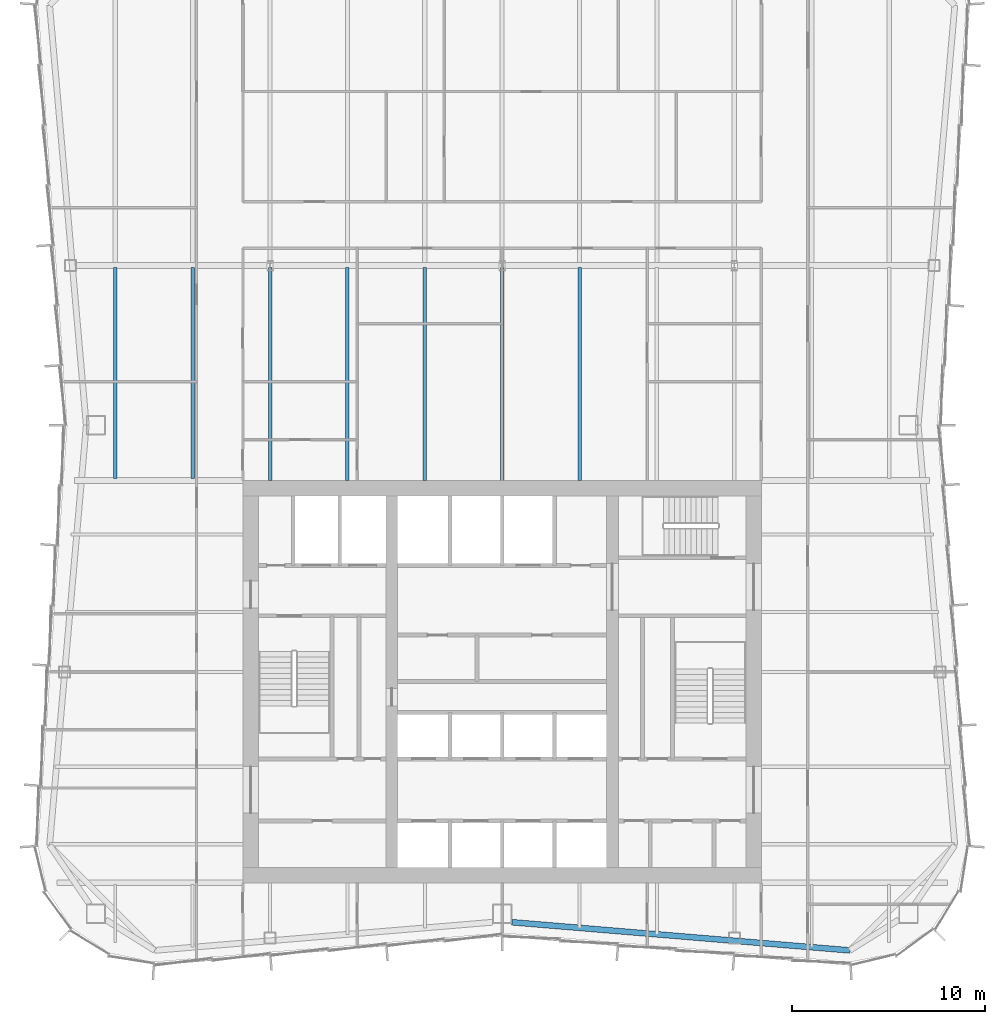
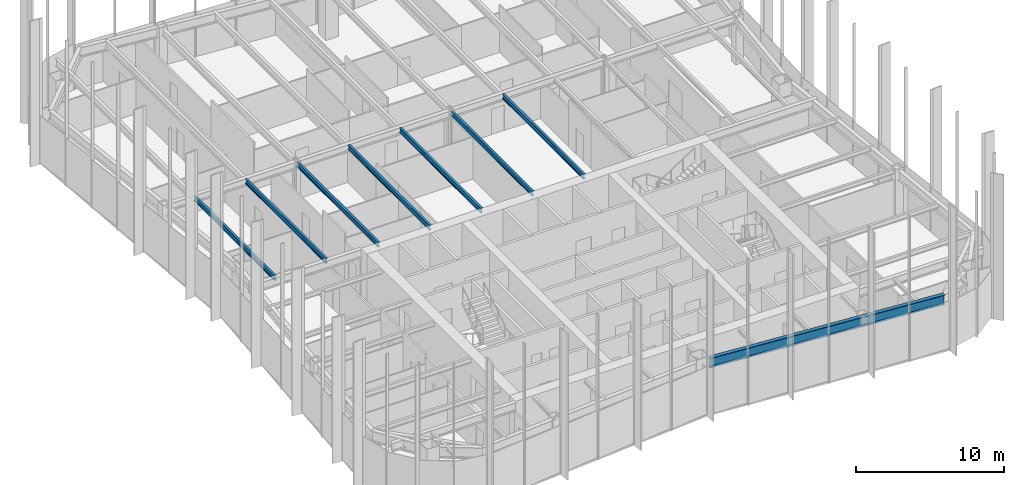
# One storey, part 4 of 15: 8 beams.
"""IFC4 building model written with IfcOpenShell, lengths in metres."""

import ifcopenshell
import ifcopenshell.guid

model = None  # the IFC model being written
_history = None  # IfcOwnerHistory: only IFC2X3 demands one
_inside = {}  # id of a spatial element -> (the spatial element, [elements in it])
_under = {}  # id of a project, library or spatial element -> (it, [spatial elements below it])
_declared = {}  # id of a project -> (the project, [libraries it declares])
_typed = {}  # id of a type object -> (the type object, [elements of that type])
_made_of = {}  # id of a material, layer set ... -> (it, [elements and type objects made of it])


def new_model(schema):
    """Start an empty IFC model of exactly this schema.

    Asked for "IFC4X3", IfcOpenShell would pick the latest addendum, in which some entities
    have other attributes; the version numbers below select the first issue.
    IFC2X3 requires an IfcOwnerHistory on every rooted entity: one is made here for all.
    """
    global model, _history
    if schema == "IFC4X3":
        model = ifcopenshell.file(schema_version=(4, 3, 0, 0))
    else:
        model = ifcopenshell.file(schema=schema)
    _inside.clear()
    _under.clear()
    _declared.clear()
    _typed.clear()
    _made_of.clear()
    _history = None
    if model.schema == "IFC2X3":
        org = make("IfcOrganization", Name="unknown")
        user = make(
            "IfcPersonAndOrganization",
            ThePerson=make("IfcPerson", FamilyName="unknown"),
            TheOrganization=org,
        )
        app = make(
            "IfcApplication",
            ApplicationDeveloper=org,
            Version="unknown",
            ApplicationFullName="unknown",
            ApplicationIdentifier="unknown",
        )
        _history = make(
            "IfcOwnerHistory",
            OwningUser=user,
            OwningApplication=app,
            ChangeAction="ADDED",
            CreationDate=0,
        )
    return model


def make(cls, **values):
    """One entity of the class cls with the attributes given. An attribute that is None is left unset."""
    return model.create_entity(
        cls, **{name: value for name, value in values.items() if value is not None}
    )


def rooted(cls, **values):
    """An entity with a GlobalId (a new one), such as an element, a storey or a relation."""
    return make(cls, GlobalId=ifcopenshell.guid.new(), OwnerHistory=_history, **values)


def si_unit(unit_type, name, prefix=None):
    """IfcSIUnit, for example si_unit("LENGTHUNIT", "METRE", prefix="MILLI")."""
    return make("IfcSIUnit", UnitType=unit_type, Prefix=prefix, Name=name)


def assignment(units):
    """IfcUnitAssignment: the units of a project."""
    return None if units is None else make("IfcUnitAssignment", Units=units)


def point(xyz):
    """IfcCartesianPoint."""
    return None if xyz is None else make("IfcCartesianPoint", Coordinates=xyz)


def direction(xyz):
    """IfcDirection."""
    return None if xyz is None else make("IfcDirection", DirectionRatios=xyz)


def frame(location, z_axis=None, x_axis=None):
    """IfcAxis2Placement3D, a coordinate frame: its origin and axes. An axis left out is left unset."""
    return make(
        "IfcAxis2Placement3D",
        Location=point(location),
        Axis=direction(z_axis),
        RefDirection=direction(x_axis),
    )


def frame_2d(location, x_axis=None):
    """IfcAxis2Placement2D, a coordinate frame in the plane: its origin and x axis."""
    return make(
        "IfcAxis2Placement2D", Location=point(location), RefDirection=direction(x_axis)
    )


def origin():
    """The frame at (0, 0, 0) with its axes left unset."""
    return frame((0.0, 0.0, 0.0))


def origin_2d():
    """The frame at (0, 0) in the plane with its x axis left unset."""
    return frame_2d((0.0, 0.0))


def place(relative_to, where):
    """IfcLocalPlacement: puts the frame where relative to a parent placement (None: the world)."""
    return make(
        "IfcLocalPlacement", PlacementRelTo=relative_to, RelativePlacement=where
    )


def context(
    kind, dimensions, precision=None, world=None, true_north=None, identifier=None
):
    """IfcGeometricRepresentationContext, for example the 3D "Model" context."""
    return make(
        "IfcGeometricRepresentationContext",
        ContextIdentifier=identifier,
        ContextType=kind,
        CoordinateSpaceDimension=dimensions,
        Precision=precision,
        WorldCoordinateSystem=world,
        TrueNorth=true_north,
    )


def subcontext(parent, identifier, kind, view, scale=None):
    """IfcGeometricRepresentationSubContext, for example "Body" below "Model"."""
    return make(
        "IfcGeometricRepresentationSubContext",
        ContextIdentifier=identifier,
        ContextType=kind,
        ParentContext=parent,
        TargetScale=scale,
        TargetView=view,
    )


def project(units=None, contexts=None):
    """IfcProject with its units and contexts."""
    return rooted(
        "IfcProject",
        Name="project",
        RepresentationContexts=contexts,
        UnitsInContext=assignment(units),
    )


def spatial(cls, under=None, at=None, **own):
    """A site, building, storey or space (cls), placed at a placement, below another one or the project."""
    s = rooted(cls, ObjectPlacement=at, **own)
    if under is not None:
        _under.setdefault(under.id(), (under, []))[1].append(s)
    return s


def profile(cls, at=None, kind="AREA", **sizes):
    """A parametric profile (cls). Its sizes go by their IFC names, for example OverallWidth=200.0."""
    return make(cls, ProfileType=kind, Position=at, **sizes)


def i_section(**sizes):
    """IfcIShapeProfileDef."""
    return profile("IfcIShapeProfileDef", **sizes)


def extrude(swept, where, along, depth):
    """IfcExtrudedAreaSolid: the profile swept, set in the frame where, extruded along a direction by depth."""
    return make(
        "IfcExtrudedAreaSolid",
        SweptArea=swept,
        Position=where,
        ExtrudedDirection=direction(along),
        Depth=depth,
    )


def shape(context_of_items, identifier, shape_type, items):
    """IfcShapeRepresentation: the items that make up one representation, for example the "Body"."""
    return make(
        "IfcShapeRepresentation",
        ContextOfItems=context_of_items,
        RepresentationIdentifier=identifier,
        RepresentationType=shape_type,
        Items=items,
    )


def material(Name=None, Category=None):
    """IfcMaterial."""
    return make("IfcMaterial", Name=Name, Category=Category)


def material_profile(
    of_material, cross_section, Name=None, Category=None, Priority=None
):
    """IfcMaterialProfile: a cross section and its material."""
    return make(
        "IfcMaterialProfile",
        Name=Name,
        Material=of_material,
        Profile=cross_section,
        Priority=Priority,
        Category=Category,
    )


def profile_set(profiles, Name=None, composite=None):
    """IfcMaterialProfileSet."""
    return make(
        "IfcMaterialProfileSet",
        Name=Name,
        MaterialProfiles=profiles,
        CompositeProfile=composite,
    )


def made_of(thing, what):
    """Note that an element or type object is made of a material, layer set ...; save() writes the relation."""
    if what is not None:
        _made_of.setdefault(what.id(), (what, []))[1].append(thing)
    return thing


def type_object(cls, material=None, **own):
    """A type object (cls), such as IfcWallType, which elements share."""
    return made_of(rooted(cls, **own), material)


def element(
    cls,
    number,
    at=None,
    inside=None,
    cuts=None,
    type_object=None,
    material=None,
    context=None,
    identifier="Body",
    shape_type=None,
    held_by="IfcProductDefinitionShape",
    body=None,
    shapes=None,
    **own,
):
    """One element of the class cls, such as IfcWall. Its Tag is "e" and its number.

    at: its placement. inside: the storey or other place that contains it. cuts: it is an
    opening in that element (IfcRelVoidsElement). A single representation is given by context,
    identifier, shape_type and body (its items); several are given by shapes. held_by: the class
    of the entity that holds the representations. save() writes the other relations.
    """
    e = rooted(cls, Tag="e%d" % number, ObjectPlacement=at, **own)
    if body is not None:
        shapes = [shape(context, identifier, shape_type, body)]
    if shapes is not None:
        e.Representation = make(held_by, Representations=shapes)
    if inside is not None:
        _inside.setdefault(inside.id(), (inside, []))[1].append(e)
    if cuts is not None:
        rooted(
            "IfcRelVoidsElement", RelatingBuildingElement=cuts, RelatedOpeningElement=e
        )
    if type_object is not None:
        _typed.setdefault(type_object.id(), (type_object, []))[1].append(e)
    return made_of(e, material)


def aggregate(whole, parts):
    """IfcRelAggregates: a whole, such as a stair, and the parts it consists of."""
    return rooted("IfcRelAggregates", RelatingObject=whole, RelatedObjects=parts)


def save(model, path):
    """Write the relations noted so far, then the file.

    IfcRelAggregates (storeys below a building ...), IfcRelContainedInSpatialStructure (elements
    in a storey), IfcRelDefinesByType, IfcRelAssociatesMaterial and IfcRelDeclares: one each for
    every whole, place, type object, material and project.
    """
    for whole, parts in _under.values():
        aggregate(whole, parts)
    for where, things in _inside.values():
        rooted(
            "IfcRelContainedInSpatialStructure",
            RelatedElements=things,
            RelatingStructure=where,
        )
    for kind, things in _typed.values():
        rooted("IfcRelDefinesByType", RelatedObjects=things, RelatingType=kind)
    for what, things in _made_of.values():
        rooted("IfcRelAssociatesMaterial", RelatedObjects=things, RelatingMaterial=what)
    for by, libraries in _declared.values():
        rooted("IfcRelDeclares", RelatingContext=by, RelatedDefinitions=libraries)
    model.write(path)


model = new_model("IFC4")

# Units and contexts
model_context = context("Model", 3, precision=1e-05, world=origin(), true_north=direction((0.0, 1.0)))
body_context = subcontext(model_context, "Body", "Model", "MODEL_VIEW")
ifc_project = project(units=[si_unit("LENGTHUNIT", "METRE"), si_unit("AREAUNIT", "SQUARE_METRE"), si_unit("VOLUMEUNIT", "CUBIC_METRE"), si_unit("PLANEANGLEUNIT", "RADIAN"), si_unit("MASSUNIT", "GRAM", prefix="KILO")], contexts=[model_context])

# Site, building, storey
site_placement = place(None, origin())
site = spatial("IfcSite", under=ifc_project, at=site_placement, CompositionType="ELEMENT")
building_placement = place(site_placement, origin())
building = spatial("IfcBuilding", under=site, at=building_placement, Name="Verdant Reach Tower", CompositionType="ELEMENT")
storey_placement = place(building_placement, frame((0.0, 0.0, 250.0)))
storey = spatial("IfcBuildingStorey", under=building, at=storey_placement, Name="L57", CompositionType="ELEMENT", Elevation=250.0)

# Beams
ifc_material = material(Name="Steel S355", Category="steel")
ifc_material_profile_1 = material_profile(ifc_material, i_section(OverallWidth=0.179931640625, OverallDepth=0.39990234375, WebThickness=0.008544921875, FlangeThickness=0.013427734375, FilletRadius=0.02099609375, at=origin_2d()), Name="IPE 400")
ifc_profile_set_1 = profile_set([ifc_material_profile_1], Name="Steel S355")
beam_type_1 = type_object("IfcBeamType", Name="ST-JOIST-IPE400", PredefinedType="JOIST", material=ifc_profile_set_1)
for number, where, z_axis, x_axis, name in (
    (1, (-20.0, 38.5, 3.669921875), (0.0, 1.0, 0.0), (-1.0, 0.0, 0.0), "Floor joist, L57"),
    (2, (-16.0, 38.5, 3.669921875), (0.0, 1.0, 0.0), (-1.0, 0.0, 0.0), "Floor joist, L57"),
):
    element("IfcBeam", number, at=place(storey_placement, frame(where, z_axis=z_axis, x_axis=x_axis)), inside=storey, type_object=beam_type_1, Name=name, PredefinedType="JOIST", context=body_context, shape_type="SweptSolid", body=[
        extrude(i_section(OverallWidth=0.179931640625, OverallDepth=0.39990234375, WebThickness=0.008544921875, FlangeThickness=0.013427734375, FilletRadius=0.02099609375, at=origin_2d()), origin(), (0.0, 0.0, 1.0), 10.89990234375),
    ])
for number, where, z_axis, x_axis, name in (
    (3, (-12.0, 38.39990234375, 3.669921875), (0.0, 1.0, 0.0), (-1.0, 0.0, 0.0), "Floor joist, L57"),
    (4, (-8.0, 38.39990234375, 3.669921875), (0.0, 1.0, 0.0), (-1.0, 0.0, 0.0), "Floor joist, L57"),
    (5, (-4.0, 38.39990234375, 3.669921875), (0.0, 1.0, 0.0), (-1.0, 0.0, 0.0), "Floor joist, L57"),
    (6, (0.0, 38.39990234375, 3.669921875), (0.0, 1.0, 0.0), (-1.0, 0.0, 0.0), "Floor joist, L57"),
    (7, (4.0, 38.39990234375, 3.669921875), (0.0, 1.0, 0.0), (-1.0, 0.0, 0.0), "Floor joist, L57"),
):
    element("IfcBeam", number, at=place(storey_placement, frame(where, z_axis=z_axis, x_axis=x_axis)), inside=storey, type_object=beam_type_1, Name=name, PredefinedType="JOIST", context=body_context, shape_type="SweptSolid", body=[
        extrude(i_section(OverallWidth=0.179931640625, OverallDepth=0.39990234375, WebThickness=0.008544921875, FlangeThickness=0.013427734375, FilletRadius=0.02099609375, at=origin_2d()), origin(), (0.0, 0.0, 1.0), 11.0),
    ])
ifc_material_profile_2 = material_profile(ifc_material, i_section(OverallWidth=0.300048828125, OverallDepth=0.800048828125, WebThickness=0.017578125, FlangeThickness=0.032958984375, FilletRadius=0.030029296875, at=origin_2d()), Name="HEB 800")
ifc_profile_set_2 = profile_set([ifc_material_profile_2], Name="Steel S355")
beam_type_2 = type_object("IfcBeamType", Name="ST-SPANDREL-HEB800", PredefinedType="SPANDREL", material=ifc_profile_set_2)
beam_placement = place(storey_placement, frame((17.9658203125, 14.10498046875, 3.469970703125), z_axis=(-0.99654652675, 0.083036257282, 0.0), x_axis=(-0.083036257282, -0.99654652675, 0.0)))
element("IfcBeam", 8, at=beam_placement, inside=storey, type_object=beam_type_2, Name="Edge beam, L57", PredefinedType="SPANDREL", context=body_context, shape_type="SweptSolid", body=[
    extrude(i_section(OverallWidth=0.300048828125, OverallDepth=0.800048828125, WebThickness=0.017578125, FlangeThickness=0.032958984375, FilletRadius=0.030029296875, at=origin_2d()), origin(), (0.0, 0.0, 1.0), 17.5263671875),
])

save(model, "model.ifc")
